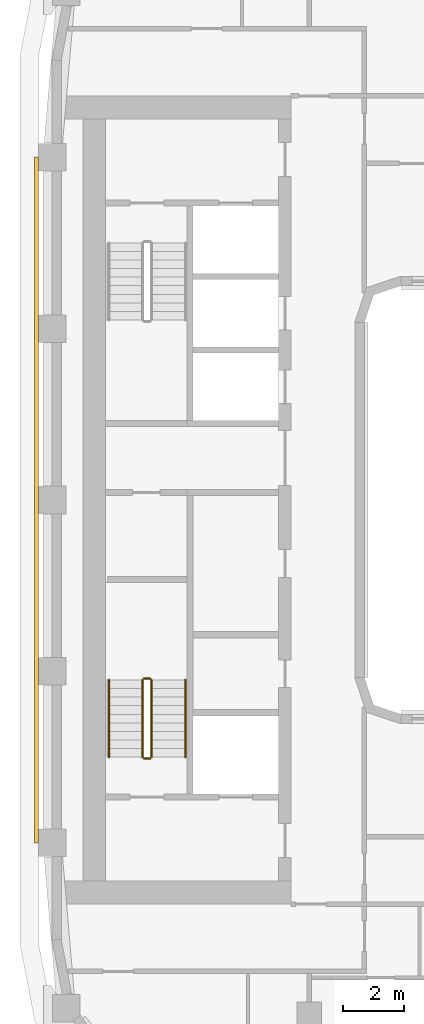
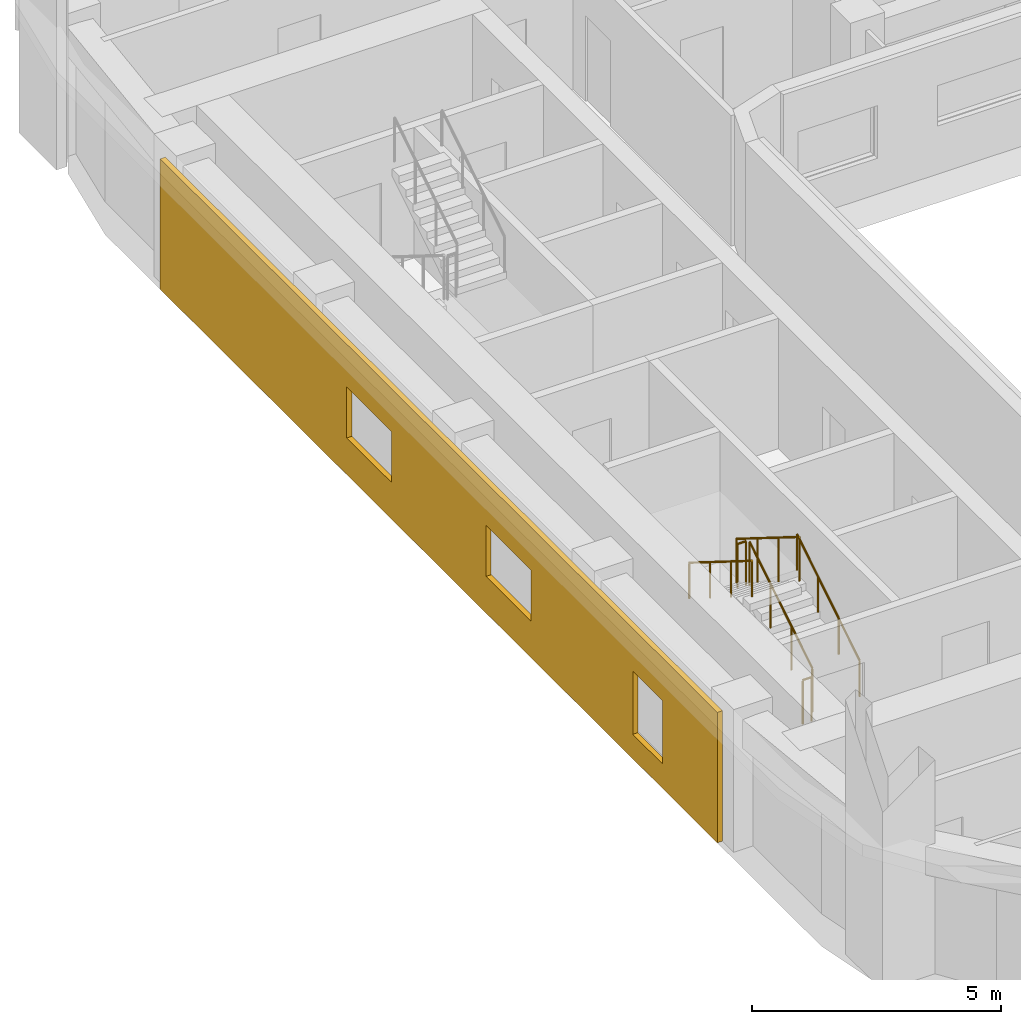
# One storey, part 12 of 20: 6 railings, 1 covering.
"""IFC4 building model written with IfcOpenShell, lengths in metres."""

from ifc_helpers import new_model, si_unit, direction, frame, origin, origin_2d, place, context, subcontext, project, spatial, polyline, circle, outline, extrude, material, layer, layer_set, type_object, element, save


model = new_model("IFC4")

# Units and contexts
model_context = context("Model", 3, precision=1e-05, world=origin(), true_north=direction((0.0, 1.0)))
body_context = subcontext(model_context, "Body", "Model", "MODEL_VIEW")
ifc_project = project(units=[si_unit("LENGTHUNIT", "METRE"), si_unit("AREAUNIT", "SQUARE_METRE"), si_unit("VOLUMEUNIT", "CUBIC_METRE"), si_unit("PLANEANGLEUNIT", "RADIAN"), si_unit("MASSUNIT", "GRAM", prefix="KILO")], contexts=[model_context])

# Site, building, storey
site_placement = place(None, origin())
site = spatial("IfcSite", under=ifc_project, at=site_placement, CompositionType="ELEMENT")
building_placement = place(site_placement, origin())
building = spatial("IfcBuilding", under=site, at=building_placement, Name="Kiln Ring Residences", CompositionType="ELEMENT")
storey_placement = place(building_placement, frame((0.0, 0.0, 188.89990234375)))
storey = spatial("IfcBuildingStorey", under=building, at=storey_placement, Name="L48", CompositionType="ELEMENT", Elevation=188.89990234375)

# Railings
ifc_material_1 = material(Name="Stainless steel", Category="steel")
railing_type_1 = type_object("IfcRailingType", Name="CORE-STAIR-GUARD", PredefinedType="GUARDRAIL", material=ifc_material_1)
railing_1_placement = place(storey_placement, frame((-21.949951171875, -8.39990234375, 0.175048828125)))
element("IfcRailing", 1, at=railing_1_placement, inside=storey, type_object=railing_type_1, Name="L48 W-STS stair guard 1", PredefinedType="GUARDRAIL", context=body_context, shape_type="SweptSolid", body=[
    extrude(circle(Radius=0.02392578125, at=origin_2d()), frame((0.0, 0.0, 1.076171875), z_axis=(0.0, 0.848007534815, 0.529984170421), x_axis=(-1.0, 0.0, 0.0)), (0.0, 0.0, 1.0), 2.9716796875),
    extrude(circle(Radius=0.02099609375, at=origin_2d()), origin(), (0.0, 0.0, 1.0), 1.052001953125),
    extrude(circle(Radius=0.02099609375, at=origin_2d()), frame((0.0, 0.840087890625, 0.52490234375)), (0.0, 0.0, 1.0), 1.052001953125),
    extrude(circle(Radius=0.02099609375, at=origin_2d()), frame((0.0, 1.679931640625, 1.050048828125)), (0.0, 0.0, 1.0), 1.052001953125),
    extrude(circle(Radius=0.02099609375, at=origin_2d()), frame((0.0, 2.52001953125, 1.574951171875)), (0.0, 0.0, 1.0), 1.052001953125),
])
railing_2_placement = place(storey_placement, frame((-22.0, -5.830078125, 1.75)))
element("IfcRailing", 2, at=railing_2_placement, inside=storey, type_object=railing_type_1, Name="L48 W-STS stair guard 2", PredefinedType="GUARDRAIL", context=body_context, shape_type="SweptSolid", body=[
    extrude(circle(Radius=0.02392578125, at=origin_2d()), frame((0.0, 0.0, 1.076171875), z_axis=(-1.0, 0.0, 0.0), x_axis=(0.0, -1.0, 0.0)), (0.0, 0.0, 1.0), 0.199951171875),
    extrude(circle(Radius=0.02099609375, at=origin_2d()), origin(), (0.0, 0.0, 1.0), 1.052001953125),
    extrude(circle(Radius=0.02099609375, at=origin_2d()), frame((-0.199951171875, 0.0, 0.0)), (0.0, 0.0, 1.0), 1.052001953125),
])
railing_3_placement = place(storey_placement, frame((-22.25, -5.8798828125, 1.925048828125)))
element("IfcRailing", 3, at=railing_3_placement, inside=storey, type_object=railing_type_1, Name="L48 W-STS stair guard 3", PredefinedType="GUARDRAIL", context=body_context, shape_type="SweptSolid", body=[
    extrude(circle(Radius=0.02392578125, at=origin_2d()), frame((0.0, 0.0, 1.076171875), z_axis=(0.0, -0.848007534815, 0.529984170421), x_axis=(1.0, 0.0, 0.0)), (0.0, 0.0, 1.0), 2.9716796875),
    extrude(circle(Radius=0.02099609375, at=origin_2d()), origin(), (0.0, 0.0, 1.0), 1.052001953125),
    extrude(circle(Radius=0.02099609375, at=origin_2d()), frame((0.0, -0.840087890625, 0.52490234375)), (0.0, 0.0, 1.0), 1.052001953125),
    extrude(circle(Radius=0.02099609375, at=origin_2d()), frame((0.0, -1.679931640625, 1.050048828125)), (0.0, 0.0, 1.0), 1.052001953125),
    extrude(circle(Radius=0.02099609375, at=origin_2d()), frame((0.0, -2.52001953125, 1.574951171875)), (0.0, 0.0, 1.0), 1.052001953125),
])
railing_4_placement = place(storey_placement, frame((-22.0, -8.449951171875, 0.0)))
element("IfcRailing", 4, at=railing_4_placement, inside=storey, type_object=railing_type_1, Name="L48 W-STS stair guard 4", PredefinedType="GUARDRAIL", context=body_context, shape_type="SweptSolid", body=[
    extrude(circle(Radius=0.02392578125, at=origin_2d()), frame((0.0, 0.0, 1.076171875), z_axis=(-1.0, 0.0, 0.0), x_axis=(0.0, -1.0, 0.0)), (0.0, 0.0, 1.0), 0.199951171875),
    extrude(circle(Radius=0.02099609375, at=origin_2d()), origin(), (0.0, 0.0, 1.0), 1.052001953125),
    extrude(circle(Radius=0.02099609375, at=origin_2d()), frame((-0.199951171875, 0.0, 0.0)), (0.0, 0.0, 1.0), 1.052001953125),
])
ifc_material_2 = material(Name="Stainless steel", Category="steel")
railing_type_2 = type_object("IfcRailingType", Name="CORE-STAIR-HANDRAIL", PredefinedType="HANDRAIL", material=ifc_material_2)
railing_5_placement = place(storey_placement, frame((-20.85009765625, -8.39990234375, 0.175048828125)))
element("IfcRailing", 5, at=railing_5_placement, inside=storey, type_object=railing_type_2, Name="L48 W-STS stair handrail 1", PredefinedType="HANDRAIL", context=body_context, shape_type="SweptSolid", body=[
    extrude(circle(Radius=0.02392578125, at=origin_2d()), frame((0.0, 0.0, 0.8759765625), z_axis=(0.0, 0.848007534815, 0.529984170421), x_axis=(-1.0, 0.0, 0.0)), (0.0, 0.0, 1.0), 2.9716796875),
    extrude(circle(Radius=0.02099609375, at=origin_2d()), origin(), (0.0, 0.0, 1.0), 0.851806640625),
    extrude(circle(Radius=0.02099609375, at=origin_2d()), frame((0.0, 0.840087890625, 0.52490234375)), (0.0, 0.0, 1.0), 0.851806640625),
    extrude(circle(Radius=0.02099609375, at=origin_2d()), frame((0.0, 1.679931640625, 1.050048828125)), (0.0, 0.0, 1.0), 0.851806640625),
    extrude(circle(Radius=0.02099609375, at=origin_2d()), frame((0.0, 2.52001953125, 1.574951171875)), (0.0, 0.0, 1.0), 0.851806640625),
])
railing_6_placement = place(storey_placement, frame((-23.35009765625, -5.8798828125, 1.925048828125)))
element("IfcRailing", 6, at=railing_6_placement, inside=storey, type_object=railing_type_2, Name="L48 W-STS stair handrail 2", PredefinedType="HANDRAIL", context=body_context, shape_type="SweptSolid", body=[
    extrude(circle(Radius=0.02392578125, at=origin_2d()), frame((0.0, 0.0, 0.8759765625), z_axis=(0.0, -0.848007534815, 0.529984170421), x_axis=(1.0, 0.0, 0.0)), (0.0, 0.0, 1.0), 2.9716796875),
    extrude(circle(Radius=0.02099609375, at=origin_2d()), origin(), (0.0, 0.0, 1.0), 0.851806640625),
    extrude(circle(Radius=0.02099609375, at=origin_2d()), frame((0.0, -0.840087890625, 0.52490234375)), (0.0, 0.0, 1.0), 0.851806640625),
    extrude(circle(Radius=0.02099609375, at=origin_2d()), frame((0.0, -1.679931640625, 1.050048828125)), (0.0, 0.0, 1.0), 0.851806640625),
    extrude(circle(Radius=0.02099609375, at=origin_2d()), frame((0.0, -2.52001953125, 1.574951171875)), (0.0, 0.0, 1.0), 0.851806640625),
])

# Covering
ifc_material_3 = material(Name="Brick masonry, dark clay brick", Category="masonry")
ifc_layer = layer(ifc_material_3, 0.1201171875)
ifc_layer_set = layer_set([ifc_layer], Name="RAINSCREEN PANEL 120")
covering_type = type_object("IfcCoveringType", Name="RAINSCREEN PANEL 120", PredefinedType="CLADDING", material=ifc_layer_set)
covering_placement = place(storey_placement, frame((-25.7099609375, 11.199951171875, 0.0), z_axis=(0.0, 0.0, 1.0), x_axis=(0.0, -1.0, 0.0)))
element("IfcCovering", 7, at=covering_placement, inside=storey, type_object=covering_type, Name="RAINSCREEN L48", PredefinedType="CLADDING", context=body_context, shape_type="SweptSolid", body=[
    extrude(outline(polyline([(0.0, 0.0), (22.39990234375, 0.0), (22.39990234375, 3.2001953125), (0.0, 3.2001953125), (0.0, 0.0)]), holes=[polyline([(20.199951171875, 2.150146484375), (19.0, 2.150146484375), (19.0, 0.60009765625), (20.199951171875, 0.60009765625), (20.199951171875, 2.150146484375)]), polyline([(9.300048828125, 0.900146484375), (9.300048828125, 2.150146484375), (7.5, 2.150146484375), (7.5, 0.900146484375), (9.300048828125, 0.900146484375)]), polyline([(14.89990234375, 0.900146484375), (14.89990234375, 2.150146484375), (13.10009765625, 2.150146484375), (13.10009765625, 0.900146484375), (14.89990234375, 0.900146484375)])]), frame((0.0, 0.06005859375, 0.0), z_axis=(0.0, -1.0, 0.0), x_axis=(1.0, 0.0, 0.0)), (0.0, 0.0, 1.0), 0.1201171875),
])

save(model, "model.ifc")
